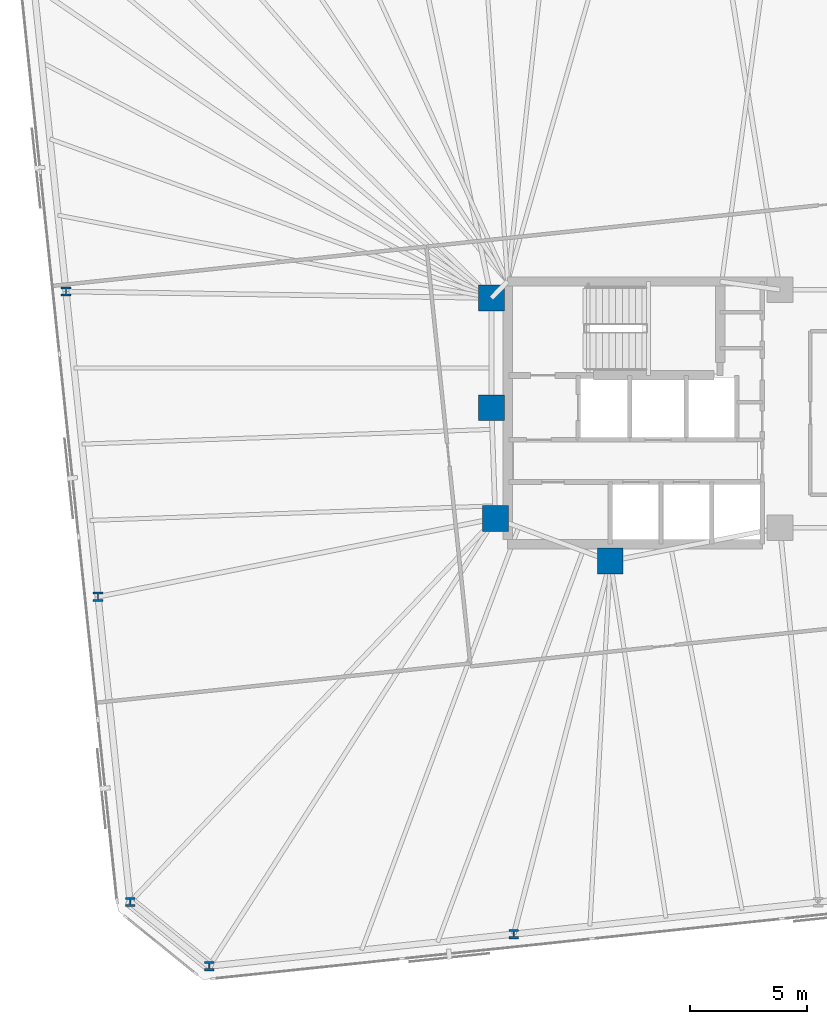
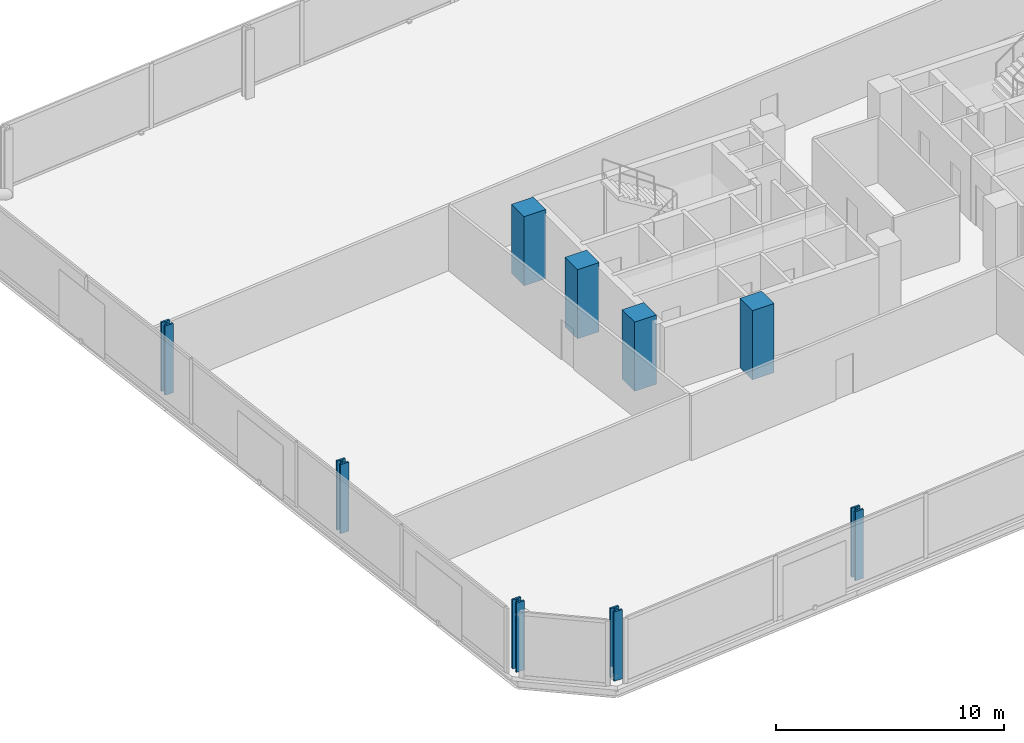
# One storey, part 1 of 17: 9 columns.
"""IFC4 building model written with IfcOpenShell, lengths in metres."""

from ifc_helpers import new_model, si_unit, direction, frame, origin, origin_2d, place, context, subcontext, project, spatial, rectangle, i_section, extrude, material, material_profile, profile_set, type_object, element, save


model = new_model("IFC4")

# Units and contexts
model_context = context("Model", 3, precision=1e-05, world=origin(), true_north=direction((0.0, 1.0)))
body_context = subcontext(model_context, "Body", "Model", "MODEL_VIEW")
ifc_project = project(units=[si_unit("LENGTHUNIT", "METRE"), si_unit("AREAUNIT", "SQUARE_METRE"), si_unit("VOLUMEUNIT", "CUBIC_METRE"), si_unit("PLANEANGLEUNIT", "RADIAN"), si_unit("MASSUNIT", "GRAM", prefix="KILO")], contexts=[model_context])

# Site, building, storey
site_placement = place(None, origin())
site = spatial("IfcSite", under=ifc_project, at=site_placement, CompositionType="ELEMENT")
building_placement = place(site_placement, origin())
building = spatial("IfcBuilding", under=site, at=building_placement, Name="Menara Jurai Vektor", CompositionType="ELEMENT")
storey_placement = place(building_placement, frame((0.0, 0.0, 87.39990234375)))
storey = spatial("IfcBuildingStorey", under=building, at=storey_placement, Name="L21", CompositionType="ELEMENT", Elevation=87.39990234375)

# Columns
ifc_material_1 = material(Name="Concrete C50/60", Category="concrete")
ifc_material_profile_1 = material_profile(ifc_material_1, rectangle(XDim=1.10009765625, YDim=1.10009765625, at=origin_2d()), Name="RC 1100x1100")
ifc_profile_set_1 = profile_set([ifc_material_profile_1], Name="Concrete C50/60")
column_type_1 = type_object("IfcColumnType", Name="STR-COL-RC1100", PredefinedType="COLUMN", material=ifc_profile_set_1)
for number, where, z_axis, x_axis, name in (
    (1, (-15.25, 4.89990234375, 0.0), (0.0, 0.0, 1.0), (1.0, 0.0, 0.0), "Core Spine Column CW-NW L21"),
    (2, (-15.25, 0.219970703125, 0.0), (0.0, 0.0, 1.0), (1.0, 0.0, 0.0), "Core Spine Column CW-WM L21"),
    (3, (-15.080078125, -4.5, 0.0), (0.0, 0.0, 1.0), (1.0, 0.0, 0.0), "Core Spine Column CW-SW L21"),
    (4, (-10.179931640625, -6.320068359375, 0.0), (0.0, 0.0, 1.0), (1.0, 0.0, 0.0), "Core Spine Column CW-SM L21"),
):
    element("IfcColumn", number, at=place(storey_placement, frame(where, z_axis=z_axis, x_axis=x_axis)), inside=storey, type_object=column_type_1, Name=name, PredefinedType="COLUMN", context=body_context, shape_type="SweptSolid", body=[
        extrude(rectangle(XDim=1.10009765625, YDim=1.10009765625, at=origin_2d()), origin(), (0.0, 0.0, 1.0), 3.7001953125),
    ])
ifc_material_2 = material(Name="Steel S460", Category="steel")
ifc_material_profile_2 = material_profile(ifc_material_2, i_section(OverallWidth=0.4130859375, OverallDepth=0.39794921875, WebThickness=0.055908203125, FlangeThickness=0.089111328125, FilletRadius=0.014892578125, at=origin_2d()), Name="HD 400x744")
ifc_profile_set_2 = profile_set([ifc_material_profile_2], Name="Steel S460")
column_type_2 = type_object("IfcColumnType", Name="STR-EXO-BLK2", PredefinedType="COLUMN", material=ifc_profile_set_2)
for number, where, z_axis, x_axis, name in (
    (5, (-27.2763671875, -23.586181640625, 0.0), (0.0, 0.0, 1.0), (1.0, 0.0, 0.0), "Exoskeleton Column BLK2-S1 L21"),
    (6, (-14.296630859375, -22.221923828125, 0.0), (0.0, 0.0, 1.0), (1.0, 0.0, 0.0), "Exoskeleton Column BLK2-S2 L21"),
    (7, (-33.388427734375, 5.175048828125, 0.0), (0.0, 0.0, 1.0), (1.0, 0.0, 0.0), "Exoskeleton Column BLK2-W2 L21"),
    (8, (-32.0205078125, -7.83837890625, 0.0), (0.0, 0.0, 1.0), (1.0, 0.0, 0.0), "Exoskeleton Column BLK2-W3 L21"),
    (9, (-30.65283203125, -20.85205078125, 0.0), (0.0, 0.0, 1.0), (1.0, 0.0, 0.0), "Exoskeleton Column BLK2-W4 L21"),
):
    element("IfcColumn", number, at=place(storey_placement, frame(where, z_axis=z_axis, x_axis=x_axis)), inside=storey, type_object=column_type_2, Name=name, PredefinedType="COLUMN", context=body_context, shape_type="SweptSolid", body=[
        extrude(i_section(OverallWidth=0.4130859375, OverallDepth=0.39794921875, WebThickness=0.055908203125, FlangeThickness=0.089111328125, FilletRadius=0.014892578125, at=origin_2d()), origin(), (0.0, 0.0, 1.0), 3.7001953125),
    ])

save(model, "model.ifc")
